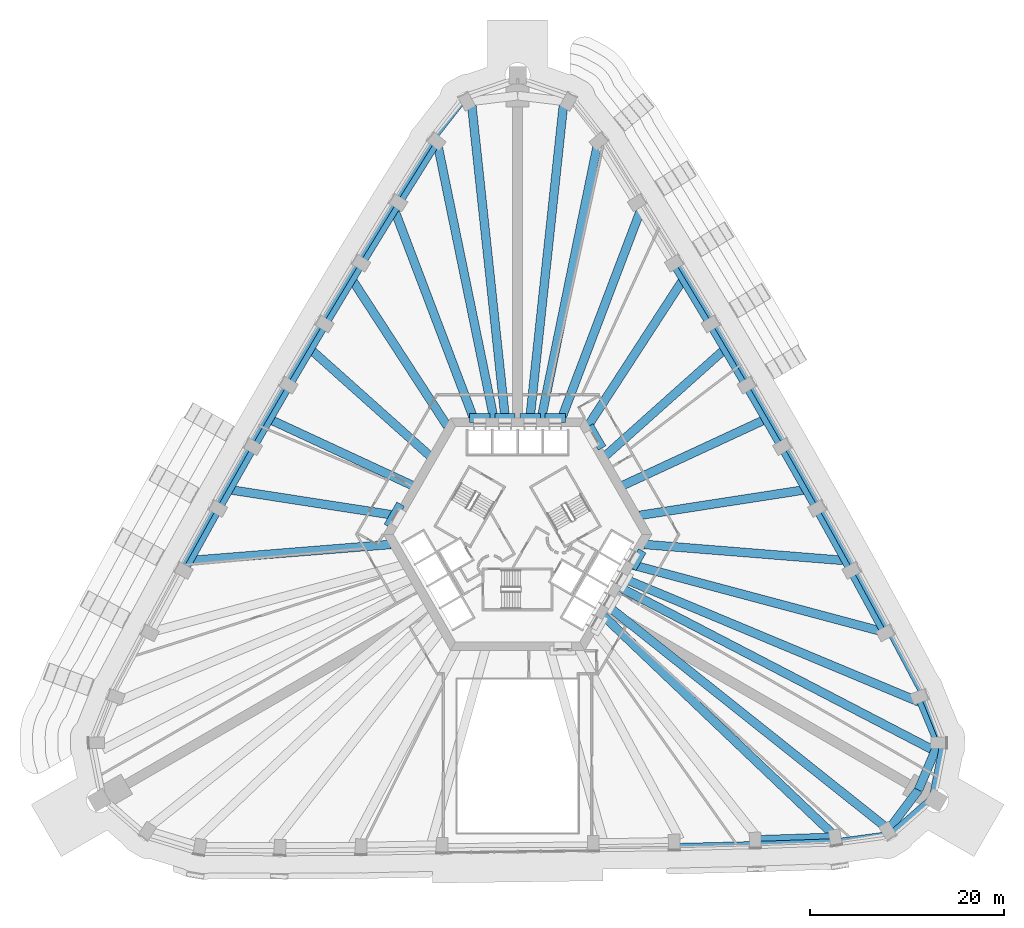
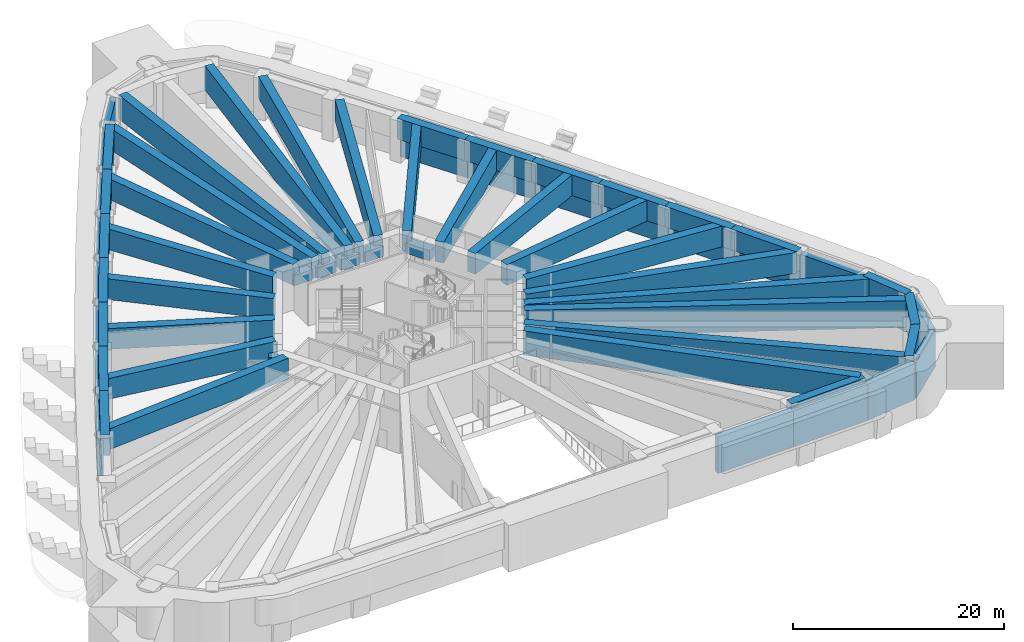
# One storey, part 3 of 21: 45 beams, 21 members.
"""IFC4 building model written with IfcOpenShell, lengths in metres."""

from ifc_helpers import new_model, si_unit, direction, frame, origin, origin_2d, place, context, subcontext, project, spatial, rectangle, extrude, material, material_profile, profile_set, type_object, element, save


model = new_model("IFC4")

# Units and contexts
model_context = context("Model", 3, precision=1e-05, world=origin(), true_north=direction((0.0, 1.0)))
body_context = subcontext(model_context, "Body", "Model", "MODEL_VIEW")
ifc_project = project(units=[si_unit("LENGTHUNIT", "METRE"), si_unit("AREAUNIT", "SQUARE_METRE"), si_unit("VOLUMEUNIT", "CUBIC_METRE"), si_unit("PLANEANGLEUNIT", "RADIAN"), si_unit("MASSUNIT", "GRAM", prefix="KILO")], contexts=[model_context])

# Site, building, storey
site_placement = place(None, origin())
site = spatial("IfcSite", under=ifc_project, at=site_placement, CompositionType="ELEMENT")
building_placement = place(site_placement, origin())
building = spatial("IfcBuilding", under=site, at=building_placement, Name="Entoto Arch Interchange Tower", CompositionType="ELEMENT")
storey_placement = place(building_placement, frame((0.0, 0.0, 81.199951171875)))
storey = spatial("IfcBuildingStorey", under=building, at=storey_placement, Name="L17", CompositionType="ELEMENT", Elevation=81.199951171875)

# Members
ifc_material = material(Name="Concrete C60/75", Category="concrete")
ifc_material_profile_1 = material_profile(ifc_material, rectangle(XDim=0.60009765625, YDim=4.199951171875, at=origin_2d()))
ifc_profile_set_1 = profile_set([ifc_material_profile_1], Name="Concrete C60/75")
member_type = type_object("IfcMemberType", Name="Belt member RC 600x4200 C60/75", PredefinedType="USERDEFINED", material=ifc_profile_set_1)
member_1_placement = place(storey_placement, frame((16.160888671875, -29.697998046875, 2.10009765625), z_axis=(0.999696834448, 0.024621925069, 0.0), x_axis=(-0.024621925069, 0.999696834448, 0.0)))
element("IfcMember", 1, at=member_1_placement, inside=storey, type_object=member_type, Name="Belt beam 06 L17", ObjectType="BELT BEAM", PredefinedType="USERDEFINED", context=body_context, shape_type="SweptSolid", body=[
    extrude(rectangle(XDim=0.60009765625, YDim=4.199951171875, at=origin_2d()), origin(), (0.0, 0.0, 1.0), 8.36865234375),
])
member_2_placement = place(storey_placement, frame((24.527099609375, -29.491943359375, 2.10009765625), z_axis=(0.99940074492, 0.034614318619, 0.0), x_axis=(-0.034614318619, 0.99940074492, 0.0)))
element("IfcMember", 2, at=member_2_placement, inside=storey, type_object=member_type, Name="Belt beam 07 L17", ObjectType="BELT BEAM", PredefinedType="USERDEFINED", context=body_context, shape_type="SweptSolid", body=[
    extrude(rectangle(XDim=0.60009765625, YDim=4.199951171875, at=origin_2d()), origin(), (0.0, 0.0, 1.0), 8.350830078125),
])
member_3_placement = place(storey_placement, frame((32.873046875, -29.202880859375, 2.10009765625), z_axis=(0.990899962333, 0.134600388739, 0.0), x_axis=(-0.134600388739, 0.990899962333, 0.0)))
element("IfcMember", 3, at=member_3_placement, inside=storey, type_object=member_type, Name="Belt beam 08 L17", ObjectType="BELT BEAM", PredefinedType="USERDEFINED", context=body_context, shape_type="SweptSolid", body=[
    extrude(rectangle(XDim=0.60009765625, YDim=4.199951171875, at=origin_2d()), origin(), (0.0, 0.0, 1.0), 5.630126953125),
])
member_4_placement = place(storey_placement, frame((38.451904296875, -28.445068359375, 2.10009765625), z_axis=(0.754282791568, 0.656549670889, 0.0), x_axis=(-0.656549670889, 0.754282791568, 0.0)))
element("IfcMember", 4, at=member_4_placement, inside=storey, type_object=member_type, Name="Belt beam 09 L17", ObjectType="BELT BEAM", PredefinedType="USERDEFINED", context=body_context, shape_type="SweptSolid", body=[
    extrude(rectangle(XDim=0.60009765625, YDim=4.199951171875, at=origin_2d()), origin(), (0.0, 0.0, 1.0), 5.718017578125),
])
member_5_placement = place(storey_placement, frame((42.764892578125, -24.69091796875, 2.10009765625), z_axis=(0.191508353346, 0.981490983453, 0.0), x_axis=(-0.981490983453, 0.191508353346, 0.0)))
element("IfcMember", 5, at=member_5_placement, inside=storey, type_object=member_type, Name="Belt beam 10 L17", ObjectType="BELT BEAM", PredefinedType="USERDEFINED", context=body_context, shape_type="SweptSolid", body=[
    extrude(rectangle(XDim=0.60009765625, YDim=4.199951171875, at=origin_2d()), origin(), (0.0, 0.0, 1.0), 5.718994140625),
])
member_6_placement = place(storey_placement, frame((43.860107421875, -19.077880859375, 2.10009765625), z_axis=(-0.373520262099, 0.927622020977, 0.0), x_axis=(-0.927622020977, -0.373520262099, 0.0)))
element("IfcMember", 6, at=member_6_placement, inside=storey, type_object=member_type, Name="Belt beam 11 L17", ObjectType="BELT BEAM", PredefinedType="USERDEFINED", context=body_context, shape_type="SweptSolid", body=[
    extrude(rectangle(XDim=0.60009765625, YDim=4.199951171875, at=origin_2d()), origin(), (0.0, 0.0, 1.0), 5.314697265625),
])
member_7_placement = place(storey_placement, frame((41.875, -14.14794921875, 2.10009765625), z_axis=(-0.468995107212, 0.883200763933, 0.0), x_axis=(-0.883200763933, -0.468995107212, 0.0)))
element("IfcMember", 7, at=member_7_placement, inside=storey, type_object=member_type, Name="Belt beam 12 L17", ObjectType="BELT BEAM", PredefinedType="USERDEFINED", context=body_context, shape_type="SweptSolid", body=[
    extrude(rectangle(XDim=0.60009765625, YDim=4.199951171875, at=origin_2d()), origin(), (0.0, 0.0, 1.0), 7.5439453125),
])
member_8_placement = place(storey_placement, frame((38.3369140625, -7.485107421875, 2.10009765625), z_axis=(-0.476794883529, 0.879014584088, 0.0), x_axis=(-0.879014584088, -0.476794883529, 0.0)))
element("IfcMember", 8, at=member_8_placement, inside=storey, type_object=member_type, Name="Belt beam 13 L17", ObjectType="BELT BEAM", PredefinedType="USERDEFINED", context=body_context, shape_type="SweptSolid", body=[
    extrude(rectangle(XDim=0.60009765625, YDim=4.199951171875, at=origin_2d()), origin(), (0.0, 0.0, 1.0), 7.329833984375),
])
member_9_placement = place(storey_placement, frame((34.842041015625, -1.0419921875, 2.10009765625), z_axis=(-0.484641397816, 0.874712933209, 0.0), x_axis=(-0.874712933209, -0.484641397816, 0.0)))
element("IfcMember", 9, at=member_9_placement, inside=storey, type_object=member_type, Name="Belt beam 14 L17", ObjectType="BELT BEAM", PredefinedType="USERDEFINED", context=body_context, shape_type="SweptSolid", body=[
    extrude(rectangle(XDim=0.60009765625, YDim=4.199951171875, at=origin_2d()), origin(), (0.0, 0.0, 1.0), 7.3291015625),
])
member_10_placement = place(storey_placement, frame((31.2900390625, 5.368896484375, 2.10009765625), z_axis=(-0.492364520394, 0.870389096357, 0.0), x_axis=(-0.870389096357, -0.492364520394, 0.0)))
element("IfcMember", 10, at=member_10_placement, inside=storey, type_object=member_type, Name="Belt beam 15 L17", ObjectType="BELT BEAM", PredefinedType="USERDEFINED", context=body_context, shape_type="SweptSolid", body=[
    extrude(rectangle(XDim=0.60009765625, YDim=4.199951171875, at=origin_2d()), origin(), (0.0, 0.0, 1.0), 7.330322265625),
])
member_11_placement = place(storey_placement, frame((27.680908203125, 11.7490234375, 2.10009765625), z_axis=(-0.499982904294, 0.86603527377, 0.0), x_axis=(-0.86603527377, -0.499982904294, 0.0)))
element("IfcMember", 11, at=member_11_placement, inside=storey, type_object=member_type, Name="Belt beam 16 L17", ObjectType="BELT BEAM", PredefinedType="USERDEFINED", context=body_context, shape_type="SweptSolid", body=[
    extrude(rectangle(XDim=0.60009765625, YDim=4.199951171875, at=origin_2d()), origin(), (0.0, 0.0, 1.0), 7.329833984375),
])
member_12_placement = place(storey_placement, frame((24.01611328125, 18.096923828125, 2.10009765625), z_axis=(-0.507607994856, 0.861588140331, 0.0), x_axis=(-0.861588140331, -0.507607994856, 0.0)))
element("IfcMember", 12, at=member_12_placement, inside=storey, type_object=member_type, Name="Belt beam 17 L17", ObjectType="BELT BEAM", PredefinedType="USERDEFINED", context=body_context, shape_type="SweptSolid", body=[
    extrude(rectangle(XDim=0.60009765625, YDim=4.199951171875, at=origin_2d()), origin(), (0.0, 0.0, 1.0), 7.330810546875),
])
member_13_placement = place(storey_placement, frame((20.294921875, 24.4130859375, 2.10009765625), z_axis=(-0.515264556244, 0.857031176258, 0.0), x_axis=(-0.857031176258, -0.515264556244, 0.0)))
element("IfcMember", 13, at=member_13_placement, inside=storey, type_object=member_type, Name="Belt beam 18 L17", ObjectType="BELT BEAM", PredefinedType="USERDEFINED", context=body_context, shape_type="SweptSolid", body=[
    extrude(rectangle(XDim=0.60009765625, YDim=4.199951171875, at=origin_2d()), origin(), (0.0, 0.0, 1.0), 7.329833984375),
])
member_14_placement = place(storey_placement, frame((-5.408935546875, 47.52294921875, 2.10009765625), z_axis=(-0.616408582391, -0.787426478825, 0.0), x_axis=(0.787426478825, -0.616408582391, 0.0)))
element("IfcMember", 14, at=member_14_placement, inside=storey, type_object=member_type, Name="Belt beam 24 L17", ObjectType="BELT BEAM", PredefinedType="USERDEFINED", context=body_context, shape_type="SweptSolid", body=[
    extrude(rectangle(XDim=0.60009765625, YDim=4.199951171875, at=origin_2d()), origin(), (0.0, 0.0, 1.0), 5.31494140625),
])
member_15_placement = place(storey_placement, frame((-8.68505859375, 43.337890625, 2.10009765625), z_axis=(-0.530519709105, -0.847672600861, 0.0), x_axis=(0.847672600861, -0.530519709105, 0.0)))
element("IfcMember", 15, at=member_15_placement, inside=storey, type_object=member_type, Name="Belt beam 25 L17", ObjectType="BELT BEAM", PredefinedType="USERDEFINED", context=body_context, shape_type="SweptSolid", body=[
    extrude(rectangle(XDim=0.60009765625, YDim=4.199951171875, at=origin_2d()), origin(), (0.0, 0.0, 1.0), 7.54150390625),
])
member_16_placement = place(storey_placement, frame((-12.68603515625, 36.945068359375, 2.10009765625), z_axis=(-0.522699488876, -0.852517005302, 0.0), x_axis=(0.852517005302, -0.522699488876, 0.0)))
element("IfcMember", 16, at=member_16_placement, inside=storey, type_object=member_type, Name="Belt beam 26 L17", ObjectType="BELT BEAM", PredefinedType="USERDEFINED", context=body_context, shape_type="SweptSolid", body=[
    extrude(rectangle(XDim=0.60009765625, YDim=4.199951171875, at=origin_2d()), origin(), (0.0, 0.0, 1.0), 7.331298828125),
])
member_17_placement = place(storey_placement, frame((-16.51806640625, 30.695068359375, 2.10009765625), z_axis=(-0.515264556244, -0.857031176258, 0.0), x_axis=(0.857031176258, -0.515264556244, 0.0)))
element("IfcMember", 17, at=member_17_placement, inside=storey, type_object=member_type, Name="Belt beam 27 L17", ObjectType="BELT BEAM", PredefinedType="USERDEFINED", context=body_context, shape_type="SweptSolid", body=[
    extrude(rectangle(XDim=0.60009765625, YDim=4.199951171875, at=origin_2d()), origin(), (0.0, 0.0, 1.0), 7.329833984375),
])
member_18_placement = place(storey_placement, frame((-20.294921875, 24.4130859375, 2.10009765625), z_axis=(-0.507607994856, -0.861588140331, 0.0), x_axis=(0.861588140331, -0.507607994856, 0.0)))
element("IfcMember", 18, at=member_18_placement, inside=storey, type_object=member_type, Name="Belt beam 28 L17", ObjectType="BELT BEAM", PredefinedType="USERDEFINED", context=body_context, shape_type="SweptSolid", body=[
    extrude(rectangle(XDim=0.60009765625, YDim=4.199951171875, at=origin_2d()), origin(), (0.0, 0.0, 1.0), 7.330810546875),
])
member_19_placement = place(storey_placement, frame((-24.01611328125, 18.096923828125, 2.10009765625), z_axis=(-0.499982904294, -0.86603527377, 0.0), x_axis=(0.86603527377, -0.499982904294, 0.0)))
element("IfcMember", 19, at=member_19_placement, inside=storey, type_object=member_type, Name="Belt beam 29 L17", ObjectType="BELT BEAM", PredefinedType="USERDEFINED", context=body_context, shape_type="SweptSolid", body=[
    extrude(rectangle(XDim=0.60009765625, YDim=4.199951171875, at=origin_2d()), origin(), (0.0, 0.0, 1.0), 7.329833984375),
])
member_20_placement = place(storey_placement, frame((-27.680908203125, 11.7490234375, 2.10009765625), z_axis=(-0.492364520394, -0.870389096357, 0.0), x_axis=(0.870389096357, -0.492364520394, 0.0)))
element("IfcMember", 20, at=member_20_placement, inside=storey, type_object=member_type, Name="Belt beam 30 L17", ObjectType="BELT BEAM", PredefinedType="USERDEFINED", context=body_context, shape_type="SweptSolid", body=[
    extrude(rectangle(XDim=0.60009765625, YDim=4.199951171875, at=origin_2d()), origin(), (0.0, 0.0, 1.0), 7.330322265625),
])
member_21_placement = place(storey_placement, frame((-31.2900390625, 5.368896484375, 2.10009765625), z_axis=(-0.484641397816, -0.874712933209, 0.0), x_axis=(0.874712933209, -0.484641397816, 0.0)))
element("IfcMember", 21, at=member_21_placement, inside=storey, type_object=member_type, Name="Belt beam 31 L17", ObjectType="BELT BEAM", PredefinedType="USERDEFINED", context=body_context, shape_type="SweptSolid", body=[
    extrude(rectangle(XDim=0.60009765625, YDim=4.199951171875, at=origin_2d()), origin(), (0.0, 0.0, 1.0), 7.3291015625),
])

# Beams
ifc_material_profile_2 = material_profile(ifc_material, rectangle(XDim=0.89990234375, YDim=1.199951171875, at=origin_2d()))
ifc_profile_set_2 = profile_set([ifc_material_profile_2], Name="Concrete C60/75")
beam_type_1 = type_object("IfcBeamType", Name="Coupling beam RC 900x1200 C60/75", PredefinedType="BEAM", material=ifc_profile_set_2)
beam_1_placement = place(storey_placement, frame((8.718017578125, 11.40087890625, 3.0), z_axis=(-0.499912608224, 0.866075853571, 0.0), x_axis=(-0.866075853571, -0.499912608224, 0.0)))
element("IfcBeam", 22, at=beam_1_placement, inside=storey, type_object=beam_type_1, Name="Coupling beam NE L17", PredefinedType="BEAM", context=body_context, shape_type="SweptSolid", body=[
    extrude(rectangle(XDim=0.89990234375, YDim=1.199951171875, at=origin_2d()), origin(), (0.0, 0.0, 1.0), 2.63037109375),
])
beam_2_placement = place(storey_placement, frame((4.949951171875, 14.5, 3.0), z_axis=(-1.0, 0.0, 0.0), x_axis=(0.0, -1.0, 0.0)))
element("IfcBeam", 23, at=beam_2_placement, inside=storey, type_object=beam_type_1, Name="Coupling beam N L17", PredefinedType="BEAM", context=body_context, shape_type="SweptSolid", body=[
    extrude(rectangle(XDim=0.89990234375, YDim=1.199951171875, at=origin_2d()), origin(), (0.0, 0.0, 1.0), 2.099853515625),
])
for number, where, z_axis, x_axis, name in (
    (24, (2.35009765625, 14.5, 3.0), (-1.0, 0.0, 0.0), (0.0, -1.0, 0.0), "Coupling beam N L17"),
    (25, (-0.25, 14.5, 3.0), (-1.0, 0.0, 0.0), (0.0, -1.0, 0.0), "Coupling beam N L17"),
):
    element("IfcBeam", number, at=place(storey_placement, frame(where, z_axis=z_axis, x_axis=x_axis)), inside=storey, type_object=beam_type_1, Name=name, PredefinedType="BEAM", context=body_context, shape_type="SweptSolid", body=[
        extrude(rectangle(XDim=0.89990234375, YDim=1.199951171875, at=origin_2d()), origin(), (0.0, 0.0, 1.0), 2.10009765625),
    ])
beam_3_placement = place(storey_placement, frame((-2.85009765625, 14.5, 3.0), z_axis=(-1.0, 0.0, 0.0), x_axis=(0.0, -1.0, 0.0)))
element("IfcBeam", 26, at=beam_3_placement, inside=storey, type_object=beam_type_1, Name="Coupling beam N L17", PredefinedType="BEAM", context=body_context, shape_type="SweptSolid", body=[
    extrude(rectangle(XDim=0.89990234375, YDim=1.199951171875, at=origin_2d()), origin(), (0.0, 0.0, 1.0), 2.099853515625),
])
beam_4_placement = place(storey_placement, frame((-12.06689453125, 5.59912109375, 3.0), z_axis=(-0.499982224273, -0.866035666362, 0.0), x_axis=(0.866035666362, -0.499982224273, 0.0)))
element("IfcBeam", 27, at=beam_4_placement, inside=storey, type_object=beam_type_1, Name="Coupling beam NW L17", PredefinedType="BEAM", context=body_context, shape_type="SweptSolid", body=[
    extrude(rectangle(XDim=0.89990234375, YDim=1.199951171875, at=origin_2d()), origin(), (0.0, 0.0, 1.0), 2.63037109375),
])
beam_5_placement = place(storey_placement, frame((11.81689453125, -1.031982421875, 3.0), z_axis=(0.500178781653, 0.865922159541, 0.0), x_axis=(-0.865922159541, 0.500178781653, 0.0)))
element("IfcBeam", 28, at=beam_5_placement, inside=storey, type_object=beam_type_1, Name="Coupling beam SE L17", PredefinedType="BEAM", context=body_context, shape_type="SweptSolid", body=[
    extrude(rectangle(XDim=0.89990234375, YDim=1.199951171875, at=origin_2d()), origin(), (0.0, 0.0, 1.0), 2.099365234375),
])
ifc_material_profile_3 = material_profile(ifc_material, rectangle(XDim=0.89990234375, YDim=2.39990234375, at=origin_2d()))
ifc_profile_set_3 = profile_set([ifc_material_profile_3], Name="Concrete C60/75")
beam_type_2 = type_object("IfcBeamType", Name="Transfer beam RC 900x2400 C60/75", PredefinedType="BEAM", material=ifc_profile_set_3)
beam_6_placement = place(storey_placement, frame((24.510009765625, -29.0380859375, 3.60009765625), z_axis=(0.999432563752, 0.033683089422, 0.0), x_axis=(-0.033683089422, 0.999432563752, 0.0)))
element("IfcBeam", 29, at=beam_6_placement, inside=storey, type_object=beam_type_2, Name="Transfer girder S07 L17", PredefinedType="BEAM", context=body_context, shape_type="SweptSolid", body=[
    extrude(rectangle(XDim=0.89990234375, YDim=2.39990234375, at=origin_2d()), origin(), (0.0, 0.0, 1.0), 8.255615234375),
])
beam_7_placement = place(storey_placement, frame((11.861083984375, -0.666015625, 3.60009765625), z_axis=(0.966190353517, -0.257829790309, 0.0), x_axis=(0.257829790309, 0.966190353517, 0.0)))
element("IfcBeam", 30, at=beam_7_placement, inside=storey, type_object=beam_type_2, Name="Transfer beam NE02 L17", PredefinedType="BEAM", context=body_context, shape_type="SweptSolid", body=[
    extrude(rectangle(XDim=0.89990234375, YDim=2.39990234375, at=origin_2d()), origin(), (0.0, 0.0, 1.0), 26.637451171875),
])
beam_8_placement = place(storey_placement, frame((37.93408203125, -7.697021484375, 3.60009765625), z_axis=(-0.476749072146, 0.879039431543, 0.0), x_axis=(-0.879039431543, -0.476749072146, 0.0)))
element("IfcBeam", 31, at=beam_8_placement, inside=storey, type_object=beam_type_2, Name="Transfer girder NE02 L17", PredefinedType="BEAM", context=body_context, shape_type="SweptSolid", body=[
    extrude(rectangle(XDim=0.89990234375, YDim=2.39990234375, at=origin_2d()), origin(), (0.0, 0.0, 1.0), 7.324951171875),
])
beam_9_placement = place(storey_placement, frame((13.092041015625, 1.447998046875, 3.60009765625), z_axis=(0.99678839129, -0.080080603082, 0.0), x_axis=(0.080080603082, 0.99678839129, 0.0)))
element("IfcBeam", 32, at=beam_9_placement, inside=storey, type_object=beam_type_2, Name="Transfer beam NE03 L17", PredefinedType="BEAM", context=body_context, shape_type="SweptSolid", body=[
    extrude(rectangle(XDim=0.89990234375, YDim=2.39990234375, at=origin_2d()), origin(), (0.0, 0.0, 1.0), 20.5419921875),
])
beam_10_placement = place(storey_placement, frame((34.44189453125, -1.258056640625, 3.60009765625), z_axis=(-0.484694477887, 0.874683521684, 0.0), x_axis=(-0.874683521684, -0.484694477887, 0.0)))
element("IfcBeam", 33, at=beam_10_placement, inside=storey, type_object=beam_type_2, Name="Transfer girder NE03 L17", PredefinedType="BEAM", context=body_context, shape_type="SweptSolid", body=[
    extrude(rectangle(XDim=0.89990234375, YDim=2.39990234375, at=origin_2d()), origin(), (0.0, 0.0, 1.0), 7.32373046875),
])
beam_11_placement = place(storey_placement, frame((12.571044921875, 4.445068359375, 3.60009765625), z_axis=(0.988244223246, 0.152883469417, 0.0), x_axis=(-0.152883469417, 0.988244223246, 0.0)))
element("IfcBeam", 34, at=beam_11_placement, inside=storey, type_object=beam_type_2, Name="Transfer beam NE04 L17", PredefinedType="BEAM", context=body_context, shape_type="SweptSolid", body=[
    extrude(rectangle(XDim=0.89990234375, YDim=2.39990234375, at=origin_2d()), origin(), (0.0, 0.0, 1.0), 17.1171875),
])
beam_12_placement = place(storey_placement, frame((30.89208984375, 5.14794921875, 3.60009765625), z_axis=(-0.492405335693, 0.870366006563, 0.0), x_axis=(-0.870366006563, -0.492405335693, 0.0)))
element("IfcBeam", 35, at=beam_12_placement, inside=storey, type_object=beam_type_2, Name="Transfer girder NE04 L17", PredefinedType="BEAM", context=body_context, shape_type="SweptSolid", body=[
    extrude(rectangle(XDim=0.89990234375, YDim=2.39990234375, at=origin_2d()), origin(), (0.0, 0.0, 1.0), 7.32568359375),
])
beam_13_placement = place(storey_placement, frame((10.7939453125, 7.5048828125, 3.60009765625), z_axis=(0.907203624855, 0.420691791042, 0.0), x_axis=(-0.420691791042, 0.907203624855, 0.0)))
element("IfcBeam", 36, at=beam_13_placement, inside=storey, type_object=beam_type_2, Name="Transfer beam NE05 L17", PredefinedType="BEAM", context=body_context, shape_type="SweptSolid", body=[
    extrude(rectangle(XDim=0.89990234375, YDim=2.39990234375, at=origin_2d()), origin(), (0.0, 0.0, 1.0), 16.05712890625),
])
beam_14_placement = place(storey_placement, frame((27.284912109375, 11.52392578125, 3.60009765625), z_axis=(-0.499971565856, 0.866041819622, 0.0), x_axis=(-0.866041819622, -0.499971565856, 0.0)))
element("IfcBeam", 37, at=beam_14_placement, inside=storey, type_object=beam_type_2, Name="Transfer girder NE05 L17", PredefinedType="BEAM", context=body_context, shape_type="SweptSolid", body=[
    extrude(rectangle(XDim=0.89990234375, YDim=2.39990234375, at=origin_2d()), origin(), (0.0, 0.0, 1.0), 7.32421875),
])
beam_15_placement = place(storey_placement, frame((9.030029296875, 10.56494140625, 3.60009765625), z_axis=(0.745854471441, 0.666108930605, 0.0), x_axis=(-0.666108930605, 0.745854471441, 0.0)))
element("IfcBeam", 38, at=beam_15_placement, inside=storey, type_object=beam_type_2, Name="Transfer beam NE06 L17", PredefinedType="BEAM", context=body_context, shape_type="SweptSolid", body=[
    extrude(rectangle(XDim=0.89990234375, YDim=2.39990234375, at=origin_2d()), origin(), (0.0, 0.0, 1.0), 16.29931640625),
])
beam_16_placement = place(storey_placement, frame((23.623046875, 17.866943359375, 3.60009765625), z_axis=(-0.507633118909, 0.861573337904, 0.0), x_axis=(-0.861573337904, -0.507633118909, 0.0)))
element("IfcBeam", 39, at=beam_16_placement, inside=storey, type_object=beam_type_2, Name="Transfer girder NE06 L17", PredefinedType="BEAM", context=body_context, shape_type="SweptSolid", body=[
    extrude(rectangle(XDim=0.89990234375, YDim=2.39990234375, at=origin_2d()), origin(), (0.0, 0.0, 1.0), 7.326171875),
])
beam_17_placement = place(storey_placement, frame((7.256103515625, 13.6650390625, 3.60009765625), z_axis=(0.544903898815, 0.838498503908, 0.0), x_axis=(-0.838498503908, 0.544903898815, 0.0)))
element("IfcBeam", 40, at=beam_17_placement, inside=storey, type_object=beam_type_2, Name="Transfer beam NE07 L17", PredefinedType="BEAM", context=body_context, shape_type="SweptSolid", body=[
    extrude(rectangle(XDim=0.89990234375, YDim=2.39990234375, at=origin_2d()), origin(), (0.0, 0.0, 1.0), 17.782958984375),
])
beam_18_placement = place(storey_placement, frame((19.904052734375, 24.178955078125, 3.60009765625), z_axis=(-0.515230761645, 0.857051493351, 0.0), x_axis=(-0.857051493351, -0.515230761645, 0.0)))
element("IfcBeam", 41, at=beam_18_placement, inside=storey, type_object=beam_type_2, Name="Transfer girder NE07 L17", PredefinedType="BEAM", context=body_context, shape_type="SweptSolid", body=[
    extrude(rectangle(XDim=0.89990234375, YDim=2.39990234375, at=origin_2d()), origin(), (0.0, 0.0, 1.0), 7.3251953125),
])
for number, where, z_axis, x_axis, name in (
    (42, (4.5029296875, 14.360107421875, 3.60009765625), (0.354939460784, 0.934889287124, 0.0), (-0.934889287124, 0.354939460784, 0.0), "Transfer beam NE08 L17"),
    (43, (-4.5029296875, 14.360107421875, 3.60009765625), (-0.354939460784, 0.934889287124, 0.0), (-0.934889287124, -0.354939460784, 0.0), "Transfer beam NW02 L17"),
):
    element("IfcBeam", number, at=place(storey_placement, frame(where, z_axis=z_axis, x_axis=x_axis)), inside=storey, type_object=beam_type_2, Name=name, PredefinedType="BEAM", context=body_context, shape_type="SweptSolid", body=[
        extrude(rectangle(XDim=0.89990234375, YDim=2.39990234375, at=origin_2d()), origin(), (0.0, 0.0, 1.0), 22.8603515625),
    ])
beam_19_placement = place(storey_placement, frame((-12.301025390625, 36.701904296875, 3.60009765625), z_axis=(-0.522696476147, -0.852518852474, 0.0), x_axis=(0.852518852474, -0.522696476147, 0.0)))
element("IfcBeam", 44, at=beam_19_placement, inside=storey, type_object=beam_type_2, Name="Transfer girder NW02 L17", PredefinedType="BEAM", context=body_context, shape_type="SweptSolid", body=[
    extrude(rectangle(XDim=0.89990234375, YDim=2.39990234375, at=origin_2d()), origin(), (0.0, 0.0, 1.0), 7.3251953125),
])
beam_20_placement = place(storey_placement, frame((-7.256103515625, 13.6650390625, 3.60009765625), z_axis=(-0.544903898815, 0.838498503908, 0.0), x_axis=(-0.838498503908, -0.544903898815, 0.0)))
element("IfcBeam", 45, at=beam_20_placement, inside=storey, type_object=beam_type_2, Name="Transfer beam NW03 L17", PredefinedType="BEAM", context=body_context, shape_type="SweptSolid", body=[
    extrude(rectangle(XDim=0.89990234375, YDim=2.39990234375, at=origin_2d()), origin(), (0.0, 0.0, 1.0), 17.782958984375),
])
beam_21_placement = place(storey_placement, frame((-16.1298828125, 30.45703125, 3.60009765625), z_axis=(-0.515230761645, -0.857051493351, 0.0), x_axis=(0.857051493351, -0.515230761645, 0.0)))
element("IfcBeam", 46, at=beam_21_placement, inside=storey, type_object=beam_type_2, Name="Transfer girder NW03 L17", PredefinedType="BEAM", context=body_context, shape_type="SweptSolid", body=[
    extrude(rectangle(XDim=0.89990234375, YDim=2.39990234375, at=origin_2d()), origin(), (0.0, 0.0, 1.0), 7.3251953125),
])
beam_22_placement = place(storey_placement, frame((-9.030029296875, 10.56494140625, 3.60009765625), z_axis=(-0.745854471441, 0.666108930605, 0.0), x_axis=(-0.666108930605, -0.745854471441, 0.0)))
element("IfcBeam", 47, at=beam_22_placement, inside=storey, type_object=beam_type_2, Name="Transfer beam NW04 L17", PredefinedType="BEAM", context=body_context, shape_type="SweptSolid", body=[
    extrude(rectangle(XDim=0.89990234375, YDim=2.39990234375, at=origin_2d()), origin(), (0.0, 0.0, 1.0), 16.29931640625),
])
beam_23_placement = place(storey_placement, frame((-19.904052734375, 24.178955078125, 3.60009765625), z_axis=(-0.507633118909, -0.861573337904, 0.0), x_axis=(0.861573337904, -0.507633118909, 0.0)))
element("IfcBeam", 48, at=beam_23_placement, inside=storey, type_object=beam_type_2, Name="Transfer girder NW04 L17", PredefinedType="BEAM", context=body_context, shape_type="SweptSolid", body=[
    extrude(rectangle(XDim=0.89990234375, YDim=2.39990234375, at=origin_2d()), origin(), (0.0, 0.0, 1.0), 7.326171875),
])
beam_24_placement = place(storey_placement, frame((-10.7939453125, 7.5048828125, 3.60009765625), z_axis=(-0.907203624855, 0.420691791042, 0.0), x_axis=(-0.420691791042, -0.907203624855, 0.0)))
element("IfcBeam", 49, at=beam_24_placement, inside=storey, type_object=beam_type_2, Name="Transfer beam NW05 L17", PredefinedType="BEAM", context=body_context, shape_type="SweptSolid", body=[
    extrude(rectangle(XDim=0.89990234375, YDim=2.39990234375, at=origin_2d()), origin(), (0.0, 0.0, 1.0), 16.05712890625),
])
beam_25_placement = place(storey_placement, frame((-23.623046875, 17.866943359375, 3.60009765625), z_axis=(-0.499971565856, -0.866041819622, 0.0), x_axis=(0.866041819622, -0.499971565856, 0.0)))
element("IfcBeam", 50, at=beam_25_placement, inside=storey, type_object=beam_type_2, Name="Transfer girder NW05 L17", PredefinedType="BEAM", context=body_context, shape_type="SweptSolid", body=[
    extrude(rectangle(XDim=0.89990234375, YDim=2.39990234375, at=origin_2d()), origin(), (0.0, 0.0, 1.0), 7.32421875),
])
beam_26_placement = place(storey_placement, frame((-12.571044921875, 4.445068359375, 3.60009765625), z_axis=(-0.988244223246, 0.152883469417, 0.0), x_axis=(-0.152883469417, -0.988244223246, 0.0)))
element("IfcBeam", 51, at=beam_26_placement, inside=storey, type_object=beam_type_2, Name="Transfer beam NW06 L17", PredefinedType="BEAM", context=body_context, shape_type="SweptSolid", body=[
    extrude(rectangle(XDim=0.89990234375, YDim=2.39990234375, at=origin_2d()), origin(), (0.0, 0.0, 1.0), 17.1171875),
])
beam_27_placement = place(storey_placement, frame((-27.284912109375, 11.52392578125, 3.60009765625), z_axis=(-0.492405335693, -0.870366006563, 0.0), x_axis=(0.870366006563, -0.492405335693, 0.0)))
element("IfcBeam", 52, at=beam_27_placement, inside=storey, type_object=beam_type_2, Name="Transfer girder NW06 L17", PredefinedType="BEAM", context=body_context, shape_type="SweptSolid", body=[
    extrude(rectangle(XDim=0.89990234375, YDim=2.39990234375, at=origin_2d()), origin(), (0.0, 0.0, 1.0), 7.32568359375),
])
beam_28_placement = place(storey_placement, frame((-13.092041015625, 1.447998046875, 3.60009765625), z_axis=(-0.99678839129, -0.080080603082, 0.0), x_axis=(0.080080603082, -0.99678839129, 0.0)))
element("IfcBeam", 53, at=beam_28_placement, inside=storey, type_object=beam_type_2, Name="Transfer beam NW07 L17", PredefinedType="BEAM", context=body_context, shape_type="SweptSolid", body=[
    extrude(rectangle(XDim=0.89990234375, YDim=2.39990234375, at=origin_2d()), origin(), (0.0, 0.0, 1.0), 20.5419921875),
])
beam_29_placement = place(storey_placement, frame((-30.89208984375, 5.14794921875, 3.60009765625), z_axis=(-0.484694477887, -0.874683521684, 0.0), x_axis=(0.874683521684, -0.484694477887, 0.0)))
element("IfcBeam", 54, at=beam_29_placement, inside=storey, type_object=beam_type_2, Name="Transfer girder NW07 L17", PredefinedType="BEAM", context=body_context, shape_type="SweptSolid", body=[
    extrude(rectangle(XDim=0.89990234375, YDim=2.39990234375, at=origin_2d()), origin(), (0.0, 0.0, 1.0), 7.32373046875),
])
ifc_material_profile_4 = material_profile(ifc_material, rectangle(XDim=0.89990234375, YDim=2.5, at=origin_2d()))
ifc_profile_set_4 = profile_set([ifc_material_profile_4], Name="Concrete C60/75")
beam_type_3 = type_object("IfcBeamType", Name="Transfer beam RC 900x2500 C60/75", PredefinedType="BEAM", material=ifc_profile_set_4)
for number, where, z_axis, x_axis, name in (
    (55, (2.430908203125, 14.35302734375, 3.550048828125), (0.200877886738, 0.979616289483, 0.0), (-0.979616289483, 0.200877886738, 0.0), "Transfer beam NE09 L17"),
    (56, (-2.430908203125, 14.35302734375, 3.550048828125), (-0.200877886738, 0.979616289483, 0.0), (-0.979616289483, -0.200877886738, 0.0), "Transfer beam NW01 L17"),
):
    element("IfcBeam", number, at=place(storey_placement, frame(where, z_axis=z_axis, x_axis=x_axis)), inside=storey, type_object=beam_type_3, Name=name, PredefinedType="BEAM", context=body_context, shape_type="SweptSolid", body=[
        extrude(rectangle(XDim=0.89990234375, YDim=2.5, at=origin_2d()), origin(), (0.0, 0.0, 1.0), 29.01318359375),
    ])
beam_30_placement = place(storey_placement, frame((-8.35693359375, 43.02001953125, 3.550048828125), z_axis=(-0.529542169184, -0.848283614752, 0.0), x_axis=(0.848283614752, -0.529542169184, 0.0)))
element("IfcBeam", 57, at=beam_30_placement, inside=storey, type_object=beam_type_3, Name="Transfer girder NW01 L17", PredefinedType="BEAM", context=body_context, shape_type="SweptSolid", body=[
    extrude(rectangle(XDim=0.89990234375, YDim=2.5, at=origin_2d()), origin(), (0.0, 0.0, 1.0), 7.447998046875),
])
ifc_material_profile_5 = material_profile(ifc_material, rectangle(XDim=0.89990234375, YDim=2.800048828125, at=origin_2d()))
ifc_profile_set_5 = profile_set([ifc_material_profile_5], Name="Concrete C60/75")
beam_type_4 = type_object("IfcBeamType", Name="Transfer beam RC 900x2800 C60/75", PredefinedType="BEAM", material=ifc_profile_set_5)
beam_31_placement = place(storey_placement, frame((8.8349609375, -5.905029296875, 3.400146484375), z_axis=(0.724501109869, -0.689273633471, 0.0), x_axis=(0.689273633471, 0.724501109869, 0.0)))
element("IfcBeam", 58, at=beam_31_placement, inside=storey, type_object=beam_type_4, Name="Transfer beam S08 L17", PredefinedType="BEAM", context=body_context, shape_type="SweptSolid", body=[
    extrude(rectangle(XDim=0.89990234375, YDim=2.800048828125, at=origin_2d()), origin(), (0.0, 0.0, 1.0), 32.84326171875),
])
beam_32_placement = place(storey_placement, frame((11.02587890625, -2.10498046875, 3.400146484375), z_axis=(0.922758938065, -0.385377661808, 0.0), x_axis=(0.385377661808, 0.922758938065, 0.0)))
element("IfcBeam", 59, at=beam_32_placement, inside=storey, type_object=beam_type_4, Name="Transfer beam NE01 L17", PredefinedType="BEAM", context=body_context, shape_type="SweptSolid", body=[
    extrude(rectangle(XDim=0.89990234375, YDim=2.800048828125, at=origin_2d()), origin(), (0.0, 0.0, 1.0), 32.947021484375),
])
beam_33_placement = place(storey_placement, frame((43.422119140625, -19.013916015625, 3.400146484375), z_axis=(-0.386546867344, 0.922269764953, 0.0), x_axis=(-0.922269764953, -0.386546867344, 0.0)))
element("IfcBeam", 60, at=beam_33_placement, inside=storey, type_object=beam_type_4, Name="Transfer girder NE01 L17", PredefinedType="BEAM", context=body_context, shape_type="SweptSolid", body=[
    extrude(rectangle(XDim=0.89990234375, YDim=2.800048828125, at=origin_2d()), origin(), (0.0, 0.0, 1.0), 5.140625),
])
for number, where, z_axis, x_axis, name in (
    (61, (1.26611328125, 14.35107421875, 3.400146484375), (0.106215251767, 0.994343160228, 0.0), (-0.994343160228, 0.106215251767, 0.0), "Transfer beam N1 L17"),
    (62, (-1.26611328125, 14.35107421875, 3.400146484375), (-0.106215251767, 0.994343160228, 0.0), (-0.994343160228, -0.106215251767, 0.0), "Transfer beam N3 L17"),
):
    element("IfcBeam", number, at=place(storey_placement, frame(where, z_axis=z_axis, x_axis=x_axis)), inside=storey, type_object=beam_type_4, Name=name, PredefinedType="BEAM", context=body_context, shape_type="SweptSolid", body=[
        extrude(rectangle(XDim=0.89990234375, YDim=2.800048828125, at=origin_2d()), origin(), (0.0, 0.0, 1.0), 32.7060546875),
    ])
ifc_material_profile_6 = material_profile(ifc_material, rectangle(XDim=0.89990234375, YDim=3.10009765625, at=origin_2d()))
ifc_profile_set_6 = profile_set([ifc_material_profile_6], Name="Concrete C60/75")
beam_type_5 = type_object("IfcBeamType", Name="Transfer beam RC 900x3100 C60/75", PredefinedType="BEAM", material=ifc_profile_set_6)
beam_34_placement = place(storey_placement, frame((9.3779296875, -4.9599609375, 3.25), z_axis=(0.782578254952, -0.622552226626, 0.0), x_axis=(0.622552226626, 0.782578254952, 0.0)))
element("IfcBeam", 63, at=beam_34_placement, inside=storey, type_object=beam_type_5, Name="Transfer beam SE1 L17", PredefinedType="BEAM", context=body_context, shape_type="SweptSolid", body=[
    extrude(rectangle(XDim=0.89990234375, YDim=3.10009765625, at=origin_2d()), origin(), (0.0, 0.0, 1.0), 36.637939453125),
])
beam_35_placement = place(storey_placement, frame((38.177001953125, -28.09912109375, 3.25), z_axis=(0.601167231837, 0.799123244165, 0.0), x_axis=(-0.799123244165, 0.601167231837, 0.0)))
element("IfcBeam", 64, at=beam_35_placement, inside=storey, type_object=beam_type_5, Name="Transfer girder SE1 L17", PredefinedType="BEAM", context=body_context, shape_type="SweptSolid", body=[
    extrude(rectangle(XDim=0.89990234375, YDim=3.10009765625, at=origin_2d()), origin(), (0.0, 0.0, 1.0), 5.28466796875),
])
beam_36_placement = place(storey_placement, frame((10.527099609375, -2.966064453125, 3.25), z_axis=(0.887496868947, -0.460813745032, 0.0), x_axis=(0.460813745032, 0.887496868947, 0.0)))
element("IfcBeam", 65, at=beam_36_placement, inside=storey, type_object=beam_type_5, Name="Transfer beam SE3 L17", PredefinedType="BEAM", context=body_context, shape_type="SweptSolid", body=[
    extrude(rectangle(XDim=0.89990234375, YDim=3.10009765625, at=origin_2d()), origin(), (0.0, 0.0, 1.0), 36.359375),
])
beam_37_placement = place(storey_placement, frame((41.35400390625, -23.8759765625, 3.25), z_axis=(0.391419478809, 0.920212362234, 0.0), x_axis=(-0.920212362234, 0.391419478809, 0.0)))
element("IfcBeam", 66, at=beam_37_placement, inside=storey, type_object=beam_type_5, Name="Transfer girder SE3 L17", PredefinedType="BEAM", context=body_context, shape_type="SweptSolid", body=[
    extrude(rectangle(XDim=0.89990234375, YDim=3.10009765625, at=origin_2d()), origin(), (0.0, 0.0, 1.0), 5.28369140625),
])

save(model, "model.ifc")
